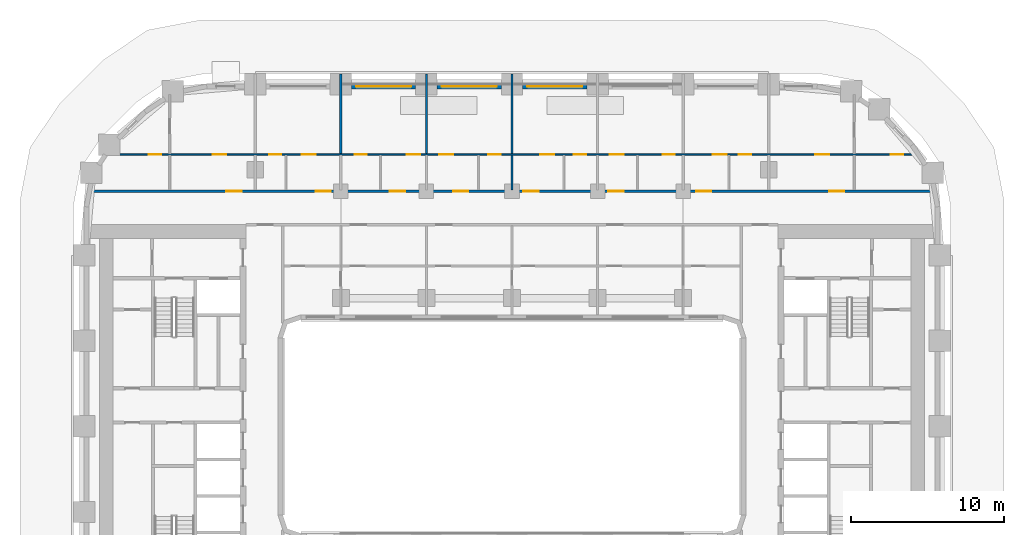
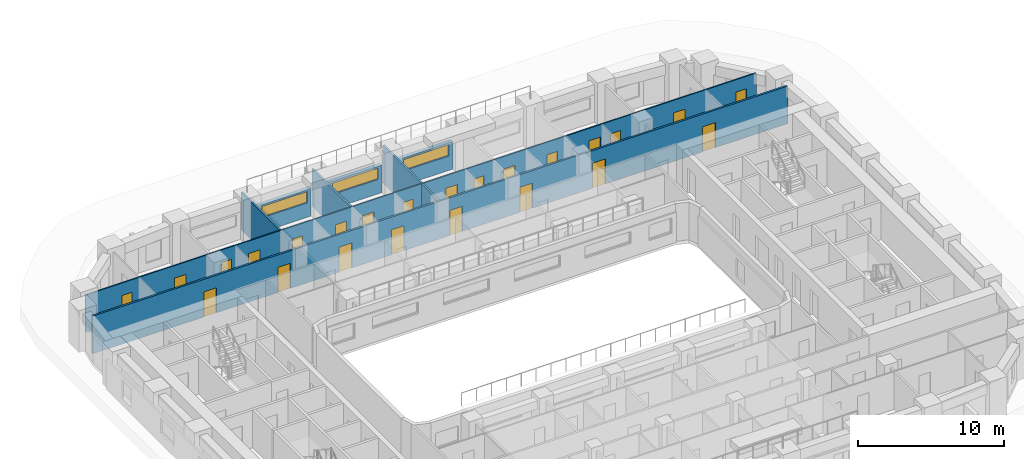
# One storey, part 9 of 18: 24 doors, 9 walls, 3 windows, 27 openings.
"""IFC4 building model written with IfcOpenShell, lengths in metres."""

from ifc_helpers import new_model, si_unit, direction, frame, frame_2d, origin, place, context, subcontext, project, spatial, rectangle, extrude, material, layer, layer_set, type_object, element, fill, save


model = new_model("IFC4")

# Units and contexts
model_context = context("Model", 3, precision=1e-05, world=origin(), true_north=direction((0.0, 1.0)))
body_context = subcontext(model_context, "Body", "Model", "MODEL_VIEW")
ifc_project = project(units=[si_unit("LENGTHUNIT", "METRE"), si_unit("AREAUNIT", "SQUARE_METRE"), si_unit("VOLUMEUNIT", "CUBIC_METRE"), si_unit("PLANEANGLEUNIT", "RADIAN"), si_unit("MASSUNIT", "GRAM", prefix="KILO")], contexts=[model_context])

# Site, building, storey
site_placement = place(None, origin())
site = spatial("IfcSite", under=ifc_project, at=site_placement, CompositionType="ELEMENT")
building_placement = place(site_placement, origin())
building = spatial("IfcBuilding", under=site, at=building_placement, Name="Kiln Ring Residences", CompositionType="ELEMENT")
storey_placement = place(building_placement, frame((0.0, 0.0, 69.0)))
storey = spatial("IfcBuildingStorey", under=building, at=storey_placement, Name="L17", CompositionType="ELEMENT", Elevation=69.0)

# Wall, opening, window
ifc_material_1 = material(Name="Brick masonry, dark clay brick", Category="masonry")
ifc_layer_1 = layer(ifc_material_1, 0.300048828125)
ifc_layer_set_1 = layer_set([ifc_layer_1], Name="EW-300 BRICK WALL")
wall_type_1 = type_object("IfcWallType", Name="EW-300 BRICK WALL", PredefinedType="SOLIDWALL", material=ifc_layer_set_1)
wall_1_placement = place(storey_placement, frame((4.89990234375, 22.25, 0.0), z_axis=(0.0, 0.0, 1.0), x_axis=(-1.0, 0.0, 0.0)))
wall_1 = element("IfcWall", 1, at=wall_1_placement, inside=storey, type_object=wall_type_1, Name="Facade wall L17 31", PredefinedType="SOLIDWALL", context=body_context, shape_type="SweptSolid", body=[
    extrude(rectangle(XDim=4.199951171875, YDim=0.300048828125, at=frame_2d((2.10009765625, 0.0))), origin(), (0.0, 0.0, 1.0), 2.300048828125),
])
opening_1_placement = place(wall_1_placement, frame((0.300048828125, 0.0, 1.199951171875)))
opening_1 = element("IfcOpeningElement", 2, at=opening_1_placement, cuts=wall_1, Name="Opening W4", PredefinedType="OPENING", context=body_context, shape_type="SweptSolid", body=[
    extrude(rectangle(XDim=3.60009765625, YDim=0.949951171875, at=frame_2d((1.800048828125, 0.47509765625))), frame((0.0, 0.159912109375, 0.0), z_axis=(0.0, -1.0, 0.0), x_axis=(1.0, 0.0, 0.0)), (0.0, 0.0, 1.0), 0.320068359375),
])
ifc_material_2 = material(Name="Aluminium frame with double glazing", Category="aluminium")
window_type = type_object("IfcWindowType", Name="WINDOW 3600 x 950", PartitioningType="SINGLE_PANEL", PredefinedType="WINDOW", material=ifc_material_2)
window_1_placement = place(opening_1_placement, origin())
window_1 = element("IfcWindow", 3, at=window_1_placement, inside=storey, type_object=window_type, Name="Window L17 16", OverallHeight=0.949951171875, OverallWidth=3.60009765625, PartitioningType="SINGLE_PANEL", PredefinedType="WINDOW", context=body_context, shape_type="SweptSolid", body=[
    extrude(rectangle(XDim=3.60009765625, YDim=0.949951171875, at=frame_2d((1.800048828125, 0.47509765625))), frame((0.0, 0.030029296875, 0.0), z_axis=(0.0, -1.0, 0.0), x_axis=(1.0, 0.0, 0.0)), (0.0, 0.0, 1.0), 0.06005859375),
])
fill(opening_1, window_1)

wall_2_placement = place(storey_placement, frame((-0.699951171875, 22.25, 0.0), z_axis=(0.0, 0.0, 1.0), x_axis=(-1.0, 0.0, 0.0)))
wall_2 = element("IfcWall", 4, at=wall_2_placement, inside=storey, type_object=wall_type_1, Name="Facade wall L17 32", PredefinedType="SOLIDWALL", context=body_context, shape_type="SweptSolid", body=[
    extrude(rectangle(XDim=4.199951171875, YDim=0.300048828125, at=frame_2d((2.10009765625, 0.0))), origin(), (0.0, 0.0, 1.0), 2.300048828125),
])
opening_2_placement = place(wall_2_placement, frame((0.300048828125, 0.0, 1.199951171875)))
opening_2 = element("IfcOpeningElement", 5, at=opening_2_placement, cuts=wall_2, Name="Opening W4", PredefinedType="OPENING", context=body_context, shape_type="SweptSolid", body=[
    extrude(rectangle(XDim=3.60009765625, YDim=0.949951171875, at=frame_2d((1.800048828125, 0.47509765625))), frame((0.0, 0.159912109375, 0.0), z_axis=(0.0, -1.0, 0.0), x_axis=(1.0, 0.0, 0.0)), (0.0, 0.0, 1.0), 0.320068359375),
])
window_2_placement = place(opening_2_placement, origin())
window_2 = element("IfcWindow", 6, at=window_2_placement, inside=storey, type_object=window_type, Name="Window L17 17", OverallHeight=0.949951171875, OverallWidth=3.60009765625, PartitioningType="SINGLE_PANEL", PredefinedType="WINDOW", context=body_context, shape_type="SweptSolid", body=[
    extrude(rectangle(XDim=3.60009765625, YDim=0.949951171875, at=frame_2d((1.800048828125, 0.47509765625))), frame((0.0, 0.030029296875, 0.0), z_axis=(0.0, -1.0, 0.0), x_axis=(1.0, 0.0, 0.0)), (0.0, 0.0, 1.0), 0.06005859375),
])
fill(opening_2, window_2)

wall_3_placement = place(storey_placement, frame((-6.300048828125, 22.25, 0.0), z_axis=(0.0, 0.0, 1.0), x_axis=(-1.0, 0.0, 0.0)))
wall_3 = element("IfcWall", 7, at=wall_3_placement, inside=storey, type_object=wall_type_1, Name="Facade wall L17 33", PredefinedType="SOLIDWALL", context=body_context, shape_type="SweptSolid", body=[
    extrude(rectangle(XDim=4.199951171875, YDim=0.300048828125, at=frame_2d((2.10009765625, 0.0))), origin(), (0.0, 0.0, 1.0), 2.300048828125),
])
opening_3_placement = place(wall_3_placement, frame((0.300048828125, 0.0, 1.199951171875)))
opening_3 = element("IfcOpeningElement", 8, at=opening_3_placement, cuts=wall_3, Name="Opening W4", PredefinedType="OPENING", context=body_context, shape_type="SweptSolid", body=[
    extrude(rectangle(XDim=3.60009765625, YDim=0.949951171875, at=frame_2d((1.800048828125, 0.47509765625))), frame((0.0, 0.159912109375, 0.0), z_axis=(0.0, -1.0, 0.0), x_axis=(1.0, 0.0, 0.0)), (0.0, 0.0, 1.0), 0.320068359375),
])
window_3_placement = place(opening_3_placement, origin())
window_3 = element("IfcWindow", 9, at=window_3_placement, inside=storey, type_object=window_type, Name="Window L17 18", OverallHeight=0.949951171875, OverallWidth=3.60009765625, PartitioningType="SINGLE_PANEL", PredefinedType="WINDOW", context=body_context, shape_type="SweptSolid", body=[
    extrude(rectangle(XDim=3.60009765625, YDim=0.949951171875, at=frame_2d((1.800048828125, 0.47509765625))), frame((0.0, 0.030029296875, 0.0), z_axis=(0.0, -1.0, 0.0), x_axis=(1.0, 0.0, 0.0)), (0.0, 0.0, 1.0), 0.06005859375),
])
fill(opening_3, window_3)

# Wall, openings, doors
ifc_material_3 = material(Name="Gypsum board on steel studs", Category="steel")
ifc_layer_2 = layer(ifc_material_3, 0.10009765625)
ifc_layer_set_2 = layer_set([ifc_layer_2], Name="PARTITION-100")
wall_type_2 = type_object("IfcWallType", Name="PARTITION-100", PredefinedType="PARTITIONING", material=ifc_layer_set_2)
wall_4_placement = place(storey_placement, frame((-26.639892578125, 17.800048828125, 0.0), z_axis=(0.0, 0.0, 1.0), x_axis=(1.0, 0.0, 0.0)))
wall_4 = element("IfcWall", 10, at=wall_4_placement, inside=storey, type_object=wall_type_2, Name="Partition 007", PredefinedType="PARTITIONING", context=body_context, shape_type="SweptSolid", body=[
    extrude(rectangle(XDim=53.033935546875, YDim=0.10009765625, at=frame_2d((26.51708984375, 0.0))), origin(), (0.0, 0.0, 1.0), 3.14990234375),
])
opening_4_placement = place(wall_4_placement, frame((2.8720703125, 0.0, 0.0)))
opening_4 = element("IfcOpeningElement", 11, at=opening_4_placement, cuts=wall_4, Name="Opening L17-D018", PredefinedType="OPENING", context=body_context, shape_type="SweptSolid", body=[
    extrude(rectangle(XDim=0.800048828125, YDim=2.10009765625, at=frame_2d((0.39990234375, 1.050048828125))), frame((0.0, 0.06005859375, 0.0), z_axis=(0.0, -1.0, 0.0), x_axis=(1.0, 0.0, 0.0)), (0.0, 0.0, 1.0), 0.1201171875),
])
opening_5_placement = place(wall_4_placement, frame((7.0400390625, 0.0, 0.0)))
opening_5 = element("IfcOpeningElement", 12, at=opening_5_placement, cuts=wall_4, Name="Opening L17-D019", PredefinedType="OPENING", context=body_context, shape_type="SweptSolid", body=[
    extrude(rectangle(XDim=0.89990234375, YDim=2.10009765625, at=frame_2d((0.449951171875, 1.050048828125))), frame((0.0, 0.06005859375, 0.0), z_axis=(0.0, -1.0, 0.0), x_axis=(1.0, 0.0, 0.0)), (0.0, 0.0, 1.0), 0.1201171875),
])
opening_6_placement = place(wall_4_placement, frame((10.739990234375, 0.0, 0.0)))
opening_6 = element("IfcOpeningElement", 13, at=opening_6_placement, cuts=wall_4, Name="Opening L17-D022", PredefinedType="OPENING", context=body_context, shape_type="SweptSolid", body=[
    extrude(rectangle(XDim=0.800048828125, YDim=2.10009765625, at=frame_2d((0.39990234375, 1.050048828125))), frame((0.0, 0.06005859375, 0.0), z_axis=(0.0, -1.0, 0.0), x_axis=(1.0, 0.0, 0.0)), (0.0, 0.0, 1.0), 0.1201171875),
])
opening_7_placement = place(wall_4_placement, frame((12.889892578125, 0.0, 0.0)))
opening_7 = element("IfcOpeningElement", 14, at=opening_7_placement, cuts=wall_4, Name="Opening L17-D023", PredefinedType="OPENING", context=body_context, shape_type="SweptSolid", body=[
    extrude(rectangle(XDim=0.89990234375, YDim=2.10009765625, at=frame_2d((0.449951171875, 1.050048828125))), frame((0.0, 0.06005859375, 0.0), z_axis=(0.0, -1.0, 0.0), x_axis=(1.0, 0.0, 0.0)), (0.0, 0.0, 1.0), 0.1201171875),
])
opening_8_placement = place(wall_4_placement, frame((16.340087890625, 0.0, 0.0)))
opening_8 = element("IfcOpeningElement", 15, at=opening_8_placement, cuts=wall_4, Name="Opening L17-D025", PredefinedType="OPENING", context=body_context, shape_type="SweptSolid", body=[
    extrude(rectangle(XDim=0.800048828125, YDim=2.10009765625, at=frame_2d((0.39990234375, 1.050048828125))), frame((0.0, 0.06005859375, 0.0), z_axis=(0.0, -1.0, 0.0), x_axis=(1.0, 0.0, 0.0)), (0.0, 0.0, 1.0), 0.1201171875),
])
opening_9_placement = place(wall_4_placement, frame((19.739990234375, 0.0, 0.0)))
opening_9 = element("IfcOpeningElement", 16, at=opening_9_placement, cuts=wall_4, Name="Opening L17-D026", PredefinedType="OPENING", context=body_context, shape_type="SweptSolid", body=[
    extrude(rectangle(XDim=0.89990234375, YDim=2.10009765625, at=frame_2d((0.449951171875, 1.050048828125))), frame((0.0, 0.06005859375, 0.0), z_axis=(0.0, -1.0, 0.0), x_axis=(1.0, 0.0, 0.0)), (0.0, 0.0, 1.0), 0.1201171875),
])
opening_10_placement = place(wall_4_placement, frame((25.090087890625, 0.0, 0.0)))
opening_10 = element("IfcOpeningElement", 17, at=opening_10_placement, cuts=wall_4, Name="Opening L17-D028", PredefinedType="OPENING", context=body_context, shape_type="SweptSolid", body=[
    extrude(rectangle(XDim=0.800048828125, YDim=2.10009765625, at=frame_2d((0.39990234375, 1.050048828125))), frame((0.0, 0.06005859375, 0.0), z_axis=(0.0, -1.0, 0.0), x_axis=(1.0, 0.0, 0.0)), (0.0, 0.0, 1.0), 0.1201171875),
])
opening_11_placement = place(wall_4_placement, frame((21.889892578125, 0.0, 0.0)))
opening_11 = element("IfcOpeningElement", 18, at=opening_11_placement, cuts=wall_4, Name="Opening L17-D029", PredefinedType="OPENING", context=body_context, shape_type="SweptSolid", body=[
    extrude(rectangle(XDim=0.89990234375, YDim=2.10009765625, at=frame_2d((0.449951171875, 1.050048828125))), frame((0.0, 0.06005859375, 0.0), z_axis=(0.0, -1.0, 0.0), x_axis=(1.0, 0.0, 0.0)), (0.0, 0.0, 1.0), 0.1201171875),
])
opening_12_placement = place(wall_4_placement, frame((30.68994140625, 0.0, 0.0)))
opening_12 = element("IfcOpeningElement", 19, at=opening_12_placement, cuts=wall_4, Name="Opening L17-D031", PredefinedType="OPENING", context=body_context, shape_type="SweptSolid", body=[
    extrude(rectangle(XDim=0.800048828125, YDim=2.10009765625, at=frame_2d((0.39990234375, 1.050048828125))), frame((0.0, 0.06005859375, 0.0), z_axis=(0.0, -1.0, 0.0), x_axis=(1.0, 0.0, 0.0)), (0.0, 0.0, 1.0), 0.1201171875),
])
opening_13_placement = place(wall_4_placement, frame((28.489990234375, 0.0, 0.0)))
opening_13 = element("IfcOpeningElement", 20, at=opening_13_placement, cuts=wall_4, Name="Opening L17-D032", PredefinedType="OPENING", context=body_context, shape_type="SweptSolid", body=[
    extrude(rectangle(XDim=0.89990234375, YDim=2.10009765625, at=frame_2d((0.449951171875, 1.050048828125))), frame((0.0, 0.06005859375, 0.0), z_axis=(0.0, -1.0, 0.0), x_axis=(1.0, 0.0, 0.0)), (0.0, 0.0, 1.0), 0.1201171875),
])
opening_14_placement = place(wall_4_placement, frame((36.489990234375, 0.0, 0.0)))
opening_14 = element("IfcOpeningElement", 21, at=opening_14_placement, cuts=wall_4, Name="Opening L17-D034", PredefinedType="OPENING", context=body_context, shape_type="SweptSolid", body=[
    extrude(rectangle(XDim=0.800048828125, YDim=2.10009765625, at=frame_2d((0.39990234375, 1.050048828125))), frame((0.0, 0.06005859375, 0.0), z_axis=(0.0, -1.0, 0.0), x_axis=(1.0, 0.0, 0.0)), (0.0, 0.0, 1.0), 0.1201171875),
])
opening_15_placement = place(wall_4_placement, frame((33.0400390625, 0.0, 0.0)))
opening_15 = element("IfcOpeningElement", 22, at=opening_15_placement, cuts=wall_4, Name="Opening L17-D035", PredefinedType="OPENING", context=body_context, shape_type="SweptSolid", body=[
    extrude(rectangle(XDim=0.89990234375, YDim=2.10009765625, at=frame_2d((0.449951171875, 1.050048828125))), frame((0.0, 0.06005859375, 0.0), z_axis=(0.0, -1.0, 0.0), x_axis=(1.0, 0.0, 0.0)), (0.0, 0.0, 1.0), 0.1201171875),
])
opening_16_placement = place(wall_4_placement, frame((41.489990234375, 0.0, 0.0)))
opening_16 = element("IfcOpeningElement", 23, at=opening_16_placement, cuts=wall_4, Name="Opening L17-D037", PredefinedType="OPENING", context=body_context, shape_type="SweptSolid", body=[
    extrude(rectangle(XDim=0.800048828125, YDim=2.10009765625, at=frame_2d((0.39990234375, 1.050048828125))), frame((0.0, 0.06005859375, 0.0), z_axis=(0.0, -1.0, 0.0), x_axis=(1.0, 0.0, 0.0)), (0.0, 0.0, 1.0), 0.1201171875),
])
opening_17_placement = place(wall_4_placement, frame((39.7900390625, 0.0, 0.0)))
opening_17 = element("IfcOpeningElement", 24, at=opening_17_placement, cuts=wall_4, Name="Opening L17-D038", PredefinedType="OPENING", context=body_context, shape_type="SweptSolid", body=[
    extrude(rectangle(XDim=0.89990234375, YDim=2.10009765625, at=frame_2d((0.449951171875, 1.050048828125))), frame((0.0, 0.06005859375, 0.0), z_axis=(0.0, -1.0, 0.0), x_axis=(1.0, 0.0, 0.0)), (0.0, 0.0, 1.0), 0.1201171875),
])
opening_18_placement = place(wall_4_placement, frame((51.43994140625, 0.0, 0.0)))
opening_18 = element("IfcOpeningElement", 25, at=opening_18_placement, cuts=wall_4, Name="Opening L17-D040", PredefinedType="OPENING", context=body_context, shape_type="SweptSolid", body=[
    extrude(rectangle(XDim=0.800048828125, YDim=2.10009765625, at=frame_2d((0.39990234375, 1.050048828125))), frame((0.0, 0.06005859375, 0.0), z_axis=(0.0, -1.0, 0.0), x_axis=(1.0, 0.0, 0.0)), (0.0, 0.0, 1.0), 0.1201171875),
])
opening_19_placement = place(wall_4_placement, frame((46.489990234375, 0.0, 0.0)))
opening_19 = element("IfcOpeningElement", 26, at=opening_19_placement, cuts=wall_4, Name="Opening L17-D041", PredefinedType="OPENING", context=body_context, shape_type="SweptSolid", body=[
    extrude(rectangle(XDim=0.89990234375, YDim=2.10009765625, at=frame_2d((0.449951171875, 1.050048828125))), frame((0.0, 0.06005859375, 0.0), z_axis=(0.0, -1.0, 0.0), x_axis=(1.0, 0.0, 0.0)), (0.0, 0.0, 1.0), 0.1201171875),
])
ifc_material_4 = material(Name="Timber door leaf", Category="wood")
door_type_1 = type_object("IfcDoorType", Name="FLAT-DOOR-800-PL", OperationType="SINGLE_SWING_LEFT", PredefinedType="DOOR", material=ifc_material_4)
door_1_placement = place(opening_4_placement, origin())
door_1 = element("IfcDoor", 27, at=door_1_placement, inside=storey, type_object=door_type_1, Name="Door L17-D018", OperationType="SINGLE_SWING_RIGHT", OverallHeight=2.10009765625, OverallWidth=0.800048828125, PredefinedType="DOOR", context=body_context, shape_type="SweptSolid", body=[
    extrude(rectangle(XDim=0.800048828125, YDim=2.10009765625, at=frame_2d((0.39990234375, 1.050048828125))), frame((0.0, 0.02490234375, 0.0), z_axis=(0.0, -1.0, 0.0), x_axis=(1.0, 0.0, 0.0)), (0.0, 0.0, 1.0), 0.050048828125),
])
fill(opening_4, door_1)
door_2_placement = place(opening_6_placement, origin())
door_2 = element("IfcDoor", 28, at=door_2_placement, inside=storey, type_object=door_type_1, Name="Door L17-D022", OperationType="SINGLE_SWING_RIGHT", OverallHeight=2.10009765625, OverallWidth=0.800048828125, PredefinedType="DOOR", context=body_context, shape_type="SweptSolid", body=[
    extrude(rectangle(XDim=0.800048828125, YDim=2.10009765625, at=frame_2d((0.39990234375, 1.050048828125))), frame((0.0, 0.02490234375, 0.0), z_axis=(0.0, -1.0, 0.0), x_axis=(1.0, 0.0, 0.0)), (0.0, 0.0, 1.0), 0.050048828125),
])
fill(opening_6, door_2)
door_3_placement = place(opening_8_placement, origin())
door_3 = element("IfcDoor", 29, at=door_3_placement, inside=storey, type_object=door_type_1, Name="Door L17-D025", OperationType="SINGLE_SWING_LEFT", OverallHeight=2.10009765625, OverallWidth=0.800048828125, PredefinedType="DOOR", context=body_context, shape_type="SweptSolid", body=[
    extrude(rectangle(XDim=0.800048828125, YDim=2.10009765625, at=frame_2d((0.39990234375, 1.050048828125))), frame((0.0, 0.02490234375, 0.0), z_axis=(0.0, -1.0, 0.0), x_axis=(1.0, 0.0, 0.0)), (0.0, 0.0, 1.0), 0.050048828125),
])
fill(opening_8, door_3)
door_4_placement = place(opening_10_placement, origin())
door_4 = element("IfcDoor", 30, at=door_4_placement, inside=storey, type_object=door_type_1, Name="Door L17-D028", OperationType="SINGLE_SWING_RIGHT", OverallHeight=2.10009765625, OverallWidth=0.800048828125, PredefinedType="DOOR", context=body_context, shape_type="SweptSolid", body=[
    extrude(rectangle(XDim=0.800048828125, YDim=2.10009765625, at=frame_2d((0.39990234375, 1.050048828125))), frame((0.0, 0.02490234375, 0.0), z_axis=(0.0, -1.0, 0.0), x_axis=(1.0, 0.0, 0.0)), (0.0, 0.0, 1.0), 0.050048828125),
])
fill(opening_10, door_4)
door_5_placement = place(opening_12_placement, origin())
door_5 = element("IfcDoor", 31, at=door_5_placement, inside=storey, type_object=door_type_1, Name="Door L17-D031", OperationType="SINGLE_SWING_LEFT", OverallHeight=2.10009765625, OverallWidth=0.800048828125, PredefinedType="DOOR", context=body_context, shape_type="SweptSolid", body=[
    extrude(rectangle(XDim=0.800048828125, YDim=2.10009765625, at=frame_2d((0.39990234375, 1.050048828125))), frame((0.0, 0.02490234375, 0.0), z_axis=(0.0, -1.0, 0.0), x_axis=(1.0, 0.0, 0.0)), (0.0, 0.0, 1.0), 0.050048828125),
])
fill(opening_12, door_5)
door_6_placement = place(opening_14_placement, origin())
door_6 = element("IfcDoor", 32, at=door_6_placement, inside=storey, type_object=door_type_1, Name="Door L17-D034", OperationType="SINGLE_SWING_RIGHT", OverallHeight=2.10009765625, OverallWidth=0.800048828125, PredefinedType="DOOR", context=body_context, shape_type="SweptSolid", body=[
    extrude(rectangle(XDim=0.800048828125, YDim=2.10009765625, at=frame_2d((0.39990234375, 1.050048828125))), frame((0.0, 0.02490234375, 0.0), z_axis=(0.0, -1.0, 0.0), x_axis=(1.0, 0.0, 0.0)), (0.0, 0.0, 1.0), 0.050048828125),
])
fill(opening_14, door_6)
door_7_placement = place(opening_16_placement, origin())
door_7 = element("IfcDoor", 33, at=door_7_placement, inside=storey, type_object=door_type_1, Name="Door L17-D037", OperationType="SINGLE_SWING_LEFT", OverallHeight=2.10009765625, OverallWidth=0.800048828125, PredefinedType="DOOR", context=body_context, shape_type="SweptSolid", body=[
    extrude(rectangle(XDim=0.800048828125, YDim=2.10009765625, at=frame_2d((0.39990234375, 1.050048828125))), frame((0.0, 0.02490234375, 0.0), z_axis=(0.0, -1.0, 0.0), x_axis=(1.0, 0.0, 0.0)), (0.0, 0.0, 1.0), 0.050048828125),
])
fill(opening_16, door_7)
door_8_placement = place(opening_18_placement, origin())
door_8 = element("IfcDoor", 34, at=door_8_placement, inside=storey, type_object=door_type_1, Name="Door L17-D040", OperationType="SINGLE_SWING_RIGHT", OverallHeight=2.10009765625, OverallWidth=0.800048828125, PredefinedType="DOOR", context=body_context, shape_type="SweptSolid", body=[
    extrude(rectangle(XDim=0.800048828125, YDim=2.10009765625, at=frame_2d((0.39990234375, 1.050048828125))), frame((0.0, 0.02490234375, 0.0), z_axis=(0.0, -1.0, 0.0), x_axis=(1.0, 0.0, 0.0)), (0.0, 0.0, 1.0), 0.050048828125),
])
fill(opening_18, door_8)
ifc_material_5 = material(Name="Timber door leaf", Category="wood")
door_type_2 = type_object("IfcDoorType", Name="FLAT-DOOR-900-PL", OperationType="SINGLE_SWING_LEFT", PredefinedType="DOOR", material=ifc_material_5)
door_9_placement = place(opening_5_placement, origin())
door_9 = element("IfcDoor", 35, at=door_9_placement, inside=storey, type_object=door_type_2, Name="Door L17-D019", OperationType="SINGLE_SWING_LEFT", OverallHeight=2.10009765625, OverallWidth=0.89990234375, PredefinedType="DOOR", context=body_context, shape_type="SweptSolid", body=[
    extrude(rectangle(XDim=0.89990234375, YDim=2.10009765625, at=frame_2d((0.449951171875, 1.050048828125))), frame((0.0, 0.02490234375, 0.0), z_axis=(0.0, -1.0, 0.0), x_axis=(1.0, 0.0, 0.0)), (0.0, 0.0, 1.0), 0.050048828125),
])
fill(opening_5, door_9)
door_10_placement = place(opening_7_placement, origin())
door_10 = element("IfcDoor", 36, at=door_10_placement, inside=storey, type_object=door_type_2, Name="Door L17-D023", OperationType="SINGLE_SWING_RIGHT", OverallHeight=2.10009765625, OverallWidth=0.89990234375, PredefinedType="DOOR", context=body_context, shape_type="SweptSolid", body=[
    extrude(rectangle(XDim=0.89990234375, YDim=2.10009765625, at=frame_2d((0.449951171875, 1.050048828125))), frame((0.0, 0.02490234375, 0.0), z_axis=(0.0, -1.0, 0.0), x_axis=(1.0, 0.0, 0.0)), (0.0, 0.0, 1.0), 0.050048828125),
])
fill(opening_7, door_10)
door_11_placement = place(opening_9_placement, origin())
door_11 = element("IfcDoor", 37, at=door_11_placement, inside=storey, type_object=door_type_2, Name="Door L17-D026", OperationType="SINGLE_SWING_LEFT", OverallHeight=2.10009765625, OverallWidth=0.89990234375, PredefinedType="DOOR", context=body_context, shape_type="SweptSolid", body=[
    extrude(rectangle(XDim=0.89990234375, YDim=2.10009765625, at=frame_2d((0.449951171875, 1.050048828125))), frame((0.0, 0.02490234375, 0.0), z_axis=(0.0, -1.0, 0.0), x_axis=(1.0, 0.0, 0.0)), (0.0, 0.0, 1.0), 0.050048828125),
])
fill(opening_9, door_11)
door_12_placement = place(opening_11_placement, origin())
door_12 = element("IfcDoor", 38, at=door_12_placement, inside=storey, type_object=door_type_2, Name="Door L17-D029", OperationType="SINGLE_SWING_RIGHT", OverallHeight=2.10009765625, OverallWidth=0.89990234375, PredefinedType="DOOR", context=body_context, shape_type="SweptSolid", body=[
    extrude(rectangle(XDim=0.89990234375, YDim=2.10009765625, at=frame_2d((0.449951171875, 1.050048828125))), frame((0.0, 0.02490234375, 0.0), z_axis=(0.0, -1.0, 0.0), x_axis=(1.0, 0.0, 0.0)), (0.0, 0.0, 1.0), 0.050048828125),
])
fill(opening_11, door_12)
door_13_placement = place(opening_13_placement, origin())
door_13 = element("IfcDoor", 39, at=door_13_placement, inside=storey, type_object=door_type_2, Name="Door L17-D032", OperationType="SINGLE_SWING_LEFT", OverallHeight=2.10009765625, OverallWidth=0.89990234375, PredefinedType="DOOR", context=body_context, shape_type="SweptSolid", body=[
    extrude(rectangle(XDim=0.89990234375, YDim=2.10009765625, at=frame_2d((0.449951171875, 1.050048828125))), frame((0.0, 0.02490234375, 0.0), z_axis=(0.0, -1.0, 0.0), x_axis=(1.0, 0.0, 0.0)), (0.0, 0.0, 1.0), 0.050048828125),
])
fill(opening_13, door_13)
door_14_placement = place(opening_15_placement, origin())
door_14 = element("IfcDoor", 40, at=door_14_placement, inside=storey, type_object=door_type_2, Name="Door L17-D035", OperationType="SINGLE_SWING_LEFT", OverallHeight=2.10009765625, OverallWidth=0.89990234375, PredefinedType="DOOR", context=body_context, shape_type="SweptSolid", body=[
    extrude(rectangle(XDim=0.89990234375, YDim=2.10009765625, at=frame_2d((0.449951171875, 1.050048828125))), frame((0.0, 0.02490234375, 0.0), z_axis=(0.0, -1.0, 0.0), x_axis=(1.0, 0.0, 0.0)), (0.0, 0.0, 1.0), 0.050048828125),
])
fill(opening_15, door_14)
door_15_placement = place(opening_17_placement, origin())
door_15 = element("IfcDoor", 41, at=door_15_placement, inside=storey, type_object=door_type_2, Name="Door L17-D038", OperationType="SINGLE_SWING_LEFT", OverallHeight=2.10009765625, OverallWidth=0.89990234375, PredefinedType="DOOR", context=body_context, shape_type="SweptSolid", body=[
    extrude(rectangle(XDim=0.89990234375, YDim=2.10009765625, at=frame_2d((0.449951171875, 1.050048828125))), frame((0.0, 0.02490234375, 0.0), z_axis=(0.0, -1.0, 0.0), x_axis=(1.0, 0.0, 0.0)), (0.0, 0.0, 1.0), 0.050048828125),
])
fill(opening_17, door_15)
door_16_placement = place(opening_19_placement, origin())
door_16 = element("IfcDoor", 42, at=door_16_placement, inside=storey, type_object=door_type_2, Name="Door L17-D041", OperationType="SINGLE_SWING_LEFT", OverallHeight=2.10009765625, OverallWidth=0.89990234375, PredefinedType="DOOR", context=body_context, shape_type="SweptSolid", body=[
    extrude(rectangle(XDim=0.89990234375, YDim=2.10009765625, at=frame_2d((0.449951171875, 1.050048828125))), frame((0.0, 0.02490234375, 0.0), z_axis=(0.0, -1.0, 0.0), x_axis=(1.0, 0.0, 0.0)), (0.0, 0.0, 1.0), 0.050048828125),
])
fill(opening_19, door_16)

ifc_material_6 = material(Name="Brick masonry partition", Category="masonry")
ifc_layer_3 = layer(ifc_material_6, 0.14990234375)
ifc_layer_set_3 = layer_set([ifc_layer_3], Name="PARTITION-150-ei60")
wall_type_3 = type_object("IfcWallType", Name="PARTITION-150-ei60", PredefinedType="PARTITIONING", material=ifc_layer_set_3)
wall_5_placement = place(storey_placement, frame((-27.48388671875, 15.39990234375, 0.0), z_axis=(0.0, 0.0, 1.0), x_axis=(1.0, 0.0, 0.0)))
wall_5 = element("IfcWall", 43, at=wall_5_placement, inside=storey, type_object=wall_type_3, Name="Partition 006", PredefinedType="PARTITIONING", context=body_context, shape_type="SweptSolid", body=[
    extrude(rectangle(XDim=54.9677734375, YDim=0.14990234375, at=frame_2d((27.48388671875, 0.0))), origin(), (0.0, 0.0, 1.0), 3.14990234375),
])
opening_20_placement = place(wall_5_placement, frame((8.78369140625, 0.0, 0.0)))
opening_20 = element("IfcOpeningElement", 44, at=opening_20_placement, cuts=wall_5, Name="Opening L17-D017", PredefinedType="OPENING", context=body_context, shape_type="SweptSolid", body=[
    extrude(rectangle(XDim=1.0, YDim=2.10009765625, at=frame_2d((0.5, 1.050048828125))), frame((0.0, 0.0849609375, 0.0), z_axis=(0.0, -1.0, 0.0), x_axis=(1.0, 0.0, 0.0)), (0.0, 0.0, 1.0), 0.169921875),
])
opening_21_placement = place(wall_5_placement, frame((14.6337890625, 0.0, 0.0)))
opening_21 = element("IfcOpeningElement", 45, at=opening_21_placement, cuts=wall_5, Name="Opening L17-D021", PredefinedType="OPENING", context=body_context, shape_type="SweptSolid", body=[
    extrude(rectangle(XDim=1.0, YDim=2.10009765625, at=frame_2d((0.5, 1.050048828125))), frame((0.0, 0.0849609375, 0.0), z_axis=(0.0, -1.0, 0.0), x_axis=(1.0, 0.0, 0.0)), (0.0, 0.0, 1.0), 0.169921875),
])
opening_22_placement = place(wall_5_placement, frame((19.48388671875, 0.0, 0.0)))
opening_22 = element("IfcOpeningElement", 46, at=opening_22_placement, cuts=wall_5, Name="Opening L17-D024", PredefinedType="OPENING", context=body_context, shape_type="SweptSolid", body=[
    extrude(rectangle(XDim=1.0, YDim=2.10009765625, at=frame_2d((0.5, 1.050048828125))), frame((0.0, 0.0849609375, 0.0), z_axis=(0.0, -1.0, 0.0), x_axis=(1.0, 0.0, 0.0)), (0.0, 0.0, 1.0), 0.169921875),
])
opening_23_placement = place(wall_5_placement, frame((23.6337890625, 0.0, 0.0)))
opening_23 = element("IfcOpeningElement", 47, at=opening_23_placement, cuts=wall_5, Name="Opening L17-D027", PredefinedType="OPENING", context=body_context, shape_type="SweptSolid", body=[
    extrude(rectangle(XDim=1.0, YDim=2.10009765625, at=frame_2d((0.5, 1.050048828125))), frame((0.0, 0.0849609375, 0.0), z_axis=(0.0, -1.0, 0.0), x_axis=(1.0, 0.0, 0.0)), (0.0, 0.0, 1.0), 0.169921875),
])
opening_24_placement = place(wall_5_placement, frame((28.23388671875, 0.0, 0.0)))
opening_24 = element("IfcOpeningElement", 48, at=opening_24_placement, cuts=wall_5, Name="Opening L17-D030", PredefinedType="OPENING", context=body_context, shape_type="SweptSolid", body=[
    extrude(rectangle(XDim=1.0, YDim=2.10009765625, at=frame_2d((0.5, 1.050048828125))), frame((0.0, 0.0849609375, 0.0), z_axis=(0.0, -1.0, 0.0), x_axis=(1.0, 0.0, 0.0)), (0.0, 0.0, 1.0), 0.169921875),
])
opening_25_placement = place(wall_5_placement, frame((33.78369140625, 0.0, 0.0)))
opening_25 = element("IfcOpeningElement", 49, at=opening_25_placement, cuts=wall_5, Name="Opening L17-D033", PredefinedType="OPENING", context=body_context, shape_type="SweptSolid", body=[
    extrude(rectangle(XDim=1.0, YDim=2.10009765625, at=frame_2d((0.5, 1.050048828125))), frame((0.0, 0.0849609375, 0.0), z_axis=(0.0, -1.0, 0.0), x_axis=(1.0, 0.0, 0.0)), (0.0, 0.0, 1.0), 0.169921875),
])
opening_26_placement = place(wall_5_placement, frame((39.53369140625, 0.0, 0.0)))
opening_26 = element("IfcOpeningElement", 50, at=opening_26_placement, cuts=wall_5, Name="Opening L17-D036", PredefinedType="OPENING", context=body_context, shape_type="SweptSolid", body=[
    extrude(rectangle(XDim=1.0, YDim=2.10009765625, at=frame_2d((0.5, 1.050048828125))), frame((0.0, 0.0849609375, 0.0), z_axis=(0.0, -1.0, 0.0), x_axis=(1.0, 0.0, 0.0)), (0.0, 0.0, 1.0), 0.169921875),
])
opening_27_placement = place(wall_5_placement, frame((48.23388671875, 0.0, 0.0)))
opening_27 = element("IfcOpeningElement", 51, at=opening_27_placement, cuts=wall_5, Name="Opening L17-D039", PredefinedType="OPENING", context=body_context, shape_type="SweptSolid", body=[
    extrude(rectangle(XDim=1.0, YDim=2.10009765625, at=frame_2d((0.5, 1.050048828125))), frame((0.0, 0.0849609375, 0.0), z_axis=(0.0, -1.0, 0.0), x_axis=(1.0, 0.0, 0.0)), (0.0, 0.0, 1.0), 0.169921875),
])
ifc_material_7 = material(Name="Steel faced fire door leaf", Category="steel")
door_type_3 = type_object("IfcDoorType", Name="FLAT-DOOR-1000-FR", OperationType="SINGLE_SWING_LEFT", PredefinedType="DOOR", material=ifc_material_7)
door_17_placement = place(opening_20_placement, origin())
door_17 = element("IfcDoor", 52, at=door_17_placement, inside=storey, type_object=door_type_3, Name="Door L17-D017", OperationType="SINGLE_SWING_LEFT", OverallHeight=2.10009765625, OverallWidth=1.0, PredefinedType="DOOR", context=body_context, shape_type="SweptSolid", body=[
    extrude(rectangle(XDim=1.0, YDim=2.10009765625, at=frame_2d((0.5, 1.050048828125))), frame((0.0, 0.02490234375, 0.0), z_axis=(0.0, -1.0, 0.0), x_axis=(1.0, 0.0, 0.0)), (0.0, 0.0, 1.0), 0.050048828125),
])
fill(opening_20, door_17)
door_18_placement = place(opening_21_placement, origin())
door_18 = element("IfcDoor", 53, at=door_18_placement, inside=storey, type_object=door_type_3, Name="Door L17-D021", OperationType="SINGLE_SWING_LEFT", OverallHeight=2.10009765625, OverallWidth=1.0, PredefinedType="DOOR", context=body_context, shape_type="SweptSolid", body=[
    extrude(rectangle(XDim=1.0, YDim=2.10009765625, at=frame_2d((0.5, 1.050048828125))), frame((0.0, 0.02490234375, 0.0), z_axis=(0.0, -1.0, 0.0), x_axis=(1.0, 0.0, 0.0)), (0.0, 0.0, 1.0), 0.050048828125),
])
fill(opening_21, door_18)
door_19_placement = place(opening_22_placement, origin())
door_19 = element("IfcDoor", 54, at=door_19_placement, inside=storey, type_object=door_type_3, Name="Door L17-D024", OperationType="SINGLE_SWING_RIGHT", OverallHeight=2.10009765625, OverallWidth=1.0, PredefinedType="DOOR", context=body_context, shape_type="SweptSolid", body=[
    extrude(rectangle(XDim=1.0, YDim=2.10009765625, at=frame_2d((0.5, 1.050048828125))), frame((0.0, 0.02490234375, 0.0), z_axis=(0.0, -1.0, 0.0), x_axis=(1.0, 0.0, 0.0)), (0.0, 0.0, 1.0), 0.050048828125),
])
fill(opening_22, door_19)
door_20_placement = place(opening_23_placement, origin())
door_20 = element("IfcDoor", 55, at=door_20_placement, inside=storey, type_object=door_type_3, Name="Door L17-D027", OperationType="SINGLE_SWING_LEFT", OverallHeight=2.10009765625, OverallWidth=1.0, PredefinedType="DOOR", context=body_context, shape_type="SweptSolid", body=[
    extrude(rectangle(XDim=1.0, YDim=2.10009765625, at=frame_2d((0.5, 1.050048828125))), frame((0.0, 0.02490234375, 0.0), z_axis=(0.0, -1.0, 0.0), x_axis=(1.0, 0.0, 0.0)), (0.0, 0.0, 1.0), 0.050048828125),
])
fill(opening_23, door_20)
door_21_placement = place(opening_24_placement, origin())
door_21 = element("IfcDoor", 56, at=door_21_placement, inside=storey, type_object=door_type_3, Name="Door L17-D030", OperationType="SINGLE_SWING_RIGHT", OverallHeight=2.10009765625, OverallWidth=1.0, PredefinedType="DOOR", context=body_context, shape_type="SweptSolid", body=[
    extrude(rectangle(XDim=1.0, YDim=2.10009765625, at=frame_2d((0.5, 1.050048828125))), frame((0.0, 0.02490234375, 0.0), z_axis=(0.0, -1.0, 0.0), x_axis=(1.0, 0.0, 0.0)), (0.0, 0.0, 1.0), 0.050048828125),
])
fill(opening_24, door_21)
door_22_placement = place(opening_25_placement, origin())
door_22 = element("IfcDoor", 57, at=door_22_placement, inside=storey, type_object=door_type_3, Name="Door L17-D033", OperationType="SINGLE_SWING_LEFT", OverallHeight=2.10009765625, OverallWidth=1.0, PredefinedType="DOOR", context=body_context, shape_type="SweptSolid", body=[
    extrude(rectangle(XDim=1.0, YDim=2.10009765625, at=frame_2d((0.5, 1.050048828125))), frame((0.0, 0.02490234375, 0.0), z_axis=(0.0, -1.0, 0.0), x_axis=(1.0, 0.0, 0.0)), (0.0, 0.0, 1.0), 0.050048828125),
])
fill(opening_25, door_22)
door_23_placement = place(opening_26_placement, origin())
door_23 = element("IfcDoor", 58, at=door_23_placement, inside=storey, type_object=door_type_3, Name="Door L17-D036", OperationType="SINGLE_SWING_RIGHT", OverallHeight=2.10009765625, OverallWidth=1.0, PredefinedType="DOOR", context=body_context, shape_type="SweptSolid", body=[
    extrude(rectangle(XDim=1.0, YDim=2.10009765625, at=frame_2d((0.5, 1.050048828125))), frame((0.0, 0.02490234375, 0.0), z_axis=(0.0, -1.0, 0.0), x_axis=(1.0, 0.0, 0.0)), (0.0, 0.0, 1.0), 0.050048828125),
])
fill(opening_26, door_23)
door_24_placement = place(opening_27_placement, origin())
door_24 = element("IfcDoor", 59, at=door_24_placement, inside=storey, type_object=door_type_3, Name="Door L17-D039", OperationType="SINGLE_SWING_LEFT", OverallHeight=2.10009765625, OverallWidth=1.0, PredefinedType="DOOR", context=body_context, shape_type="SweptSolid", body=[
    extrude(rectangle(XDim=1.0, YDim=2.10009765625, at=frame_2d((0.5, 1.050048828125))), frame((0.0, 0.02490234375, 0.0), z_axis=(0.0, -1.0, 0.0), x_axis=(1.0, 0.0, 0.0)), (0.0, 0.0, 1.0), 0.050048828125),
])
fill(opening_27, door_24)

# Walls
for number, where, z_axis, x_axis, name in (
    (60, (-11.199951171875, 17.85009765625, 0.0), (0.0, 0.0, 1.0), (0.0, 1.0, 0.0), "Partition 027"),
    (61, (-5.60009765625, 17.85009765625, 0.0), (0.0, 0.0, 1.0), (0.0, 1.0, 0.0), "Partition 037"),
):
    element("IfcWall", number, at=place(storey_placement, frame(where, z_axis=z_axis, x_axis=x_axis)), inside=storey, type_object=wall_type_3, Name=name, PredefinedType="PARTITIONING", context=body_context, shape_type="SweptSolid", body=[
        extrude(rectangle(XDim=5.22998046875, YDim=0.14990234375, at=frame_2d((2.614990234375, 0.0))), origin(), (0.0, 0.0, 1.0), 3.14990234375),
    ])
wall_6_placement = place(storey_placement, frame((0.0, 15.47509765625, 0.0), z_axis=(0.0, 0.0, 1.0), x_axis=(0.0, 1.0, 0.0)))
element("IfcWall", 62, at=wall_6_placement, inside=storey, type_object=wall_type_3, Name="Partition 047", PredefinedType="PARTITIONING", context=body_context, shape_type="SweptSolid", body=[
    extrude(rectangle(XDim=2.27490234375, YDim=0.14990234375, at=frame_2d((1.137451171875, 0.0))), origin(), (0.0, 0.0, 1.0), 3.14990234375),
])
wall_7_placement = place(storey_placement, frame((0.0, 17.85009765625, 0.0), z_axis=(0.0, 0.0, 1.0), x_axis=(0.0, 1.0, 0.0)))
element("IfcWall", 63, at=wall_7_placement, inside=storey, type_object=wall_type_3, Name="Partition 048", PredefinedType="PARTITIONING", context=body_context, shape_type="SweptSolid", body=[
    extrude(rectangle(XDim=5.22998046875, YDim=0.14990234375, at=frame_2d((2.614990234375, 0.0))), origin(), (0.0, 0.0, 1.0), 3.14990234375),
])

save(model, "model.ifc")
